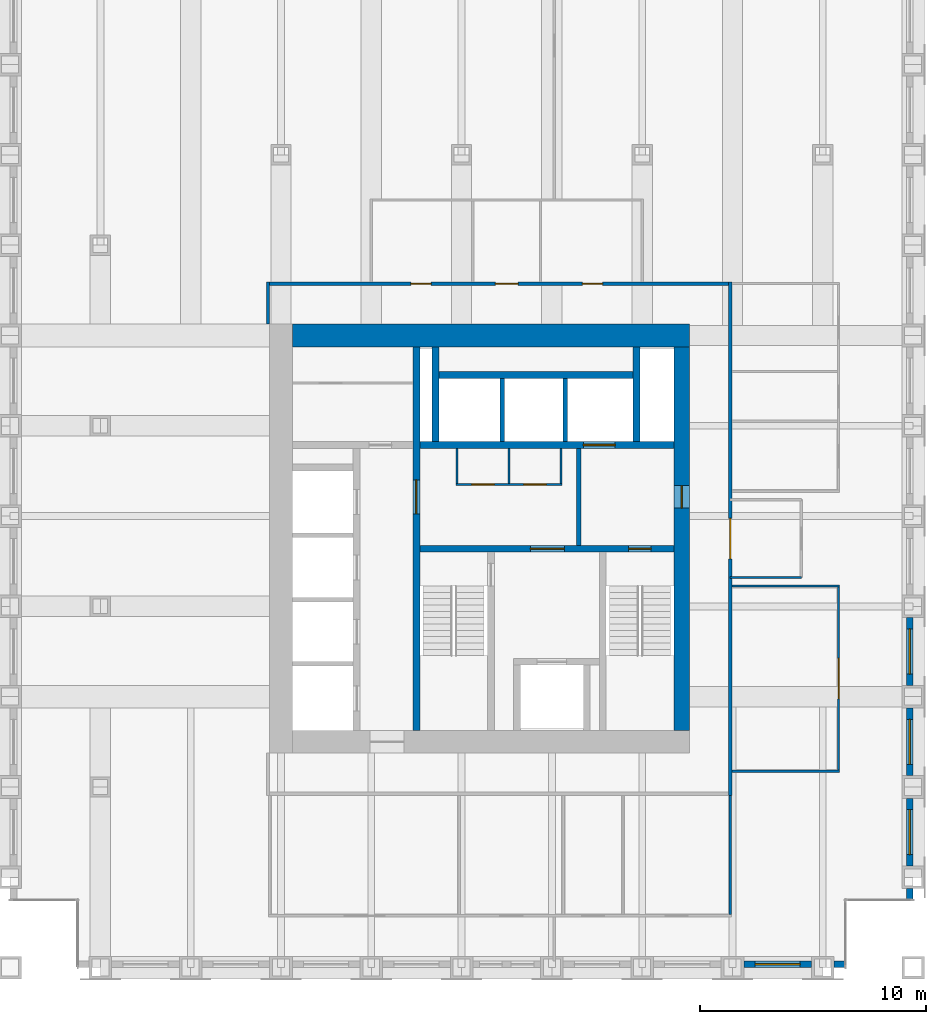
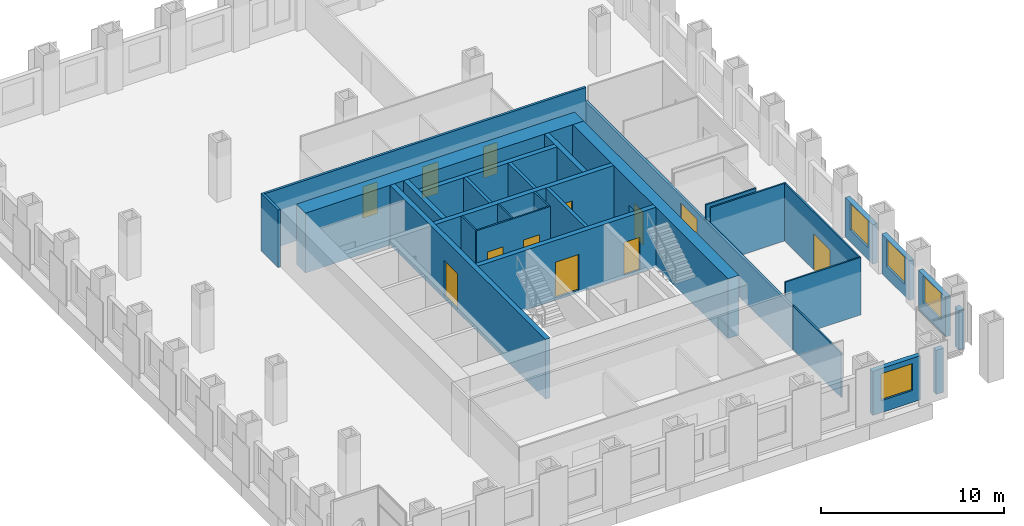
# One storey, part 10 of 13: 29 walls, 12 doors, 4 windows, 16 openings.
"""IFC4 building model written with IfcOpenShell, lengths in metres."""

from ifc_helpers import new_model, si_unit, direction, frame, frame_2d, origin, place, context, subcontext, project, spatial, rectangle, extrude, material, layer, layer_set, type_object, element, fill, save


model = new_model("IFC4")

# Units and contexts
model_context = context("Model", 3, precision=1e-05, world=origin(), true_north=direction((0.0, 1.0)))
body_context = subcontext(model_context, "Body", "Model", "MODEL_VIEW")
ifc_project = project(units=[si_unit("LENGTHUNIT", "METRE"), si_unit("AREAUNIT", "SQUARE_METRE"), si_unit("VOLUMEUNIT", "CUBIC_METRE"), si_unit("PLANEANGLEUNIT", "RADIAN"), si_unit("MASSUNIT", "GRAM", prefix="KILO")], contexts=[model_context])

# Site, building, storey
site_placement = place(None, origin())
site = spatial("IfcSite", under=ifc_project, at=site_placement, CompositionType="ELEMENT")
building_placement = place(site_placement, origin())
building = spatial("IfcBuilding", under=site, at=building_placement, Name="Rimbunsela Tower", CompositionType="ELEMENT")
storey_placement = place(building_placement, frame((0.0, 0.0, 199.800048828125)))
storey = spatial("IfcBuildingStorey", under=building, at=storey_placement, Name="L48", CompositionType="ELEMENT", Elevation=199.800048828125)

# Wall, opening, door
ifc_material_1 = material(Name="Concrete fc' 80 MPa", Category="concrete")
ifc_layer_1 = layer(ifc_material_1, 0.300048828125)
ifc_layer_set_1 = layer_set([ifc_layer_1], Name="Core internal wall 300")
wall_type_1 = type_object("IfcWallType", Name="Core internal wall 300", PredefinedType="SHEAR", material=ifc_layer_set_1)
wall_1_placement = place(storey_placement, frame((24.0, 18.5, -0.150146484375), z_axis=(0.0, 0.0, 1.0), x_axis=(0.0, 1.0, 0.0)))
wall_1 = element("IfcWall", 1, at=wall_1_placement, inside=storey, type_object=wall_type_1, Name="Core wall at stair A", PredefinedType="SHEAR", context=body_context, shape_type="SweptSolid", body=[
    extrude(rectangle(XDim=17.0, YDim=0.300048828125, at=frame_2d((8.5, 0.0))), origin(), (0.0, 0.0, 1.0), 4.0),
])
opening_1_placement = place(wall_1_placement, frame((9.60009765625, 0.0, 0.14990234375)))
opening_1 = element("IfcOpeningElement", 2, at=opening_1_placement, cuts=wall_1, Name="Opening D03", PredefinedType="OPENING", context=body_context, shape_type="SweptSolid", body=[
    extrude(rectangle(XDim=1.5, YDim=2.39990234375, at=frame_2d((0.75, 1.199951171875))), frame((0.0, 0.159912109375, 0.0), z_axis=(0.0, -1.0, 0.0), x_axis=(1.0, 0.0, 0.0)), (0.0, 0.0, 1.0), 0.320068359375),
])
ifc_material_2 = material(Name="Steel door, fire rated", Category="steel")
door_type_1 = type_object("IfcDoorType", Name="Core lobby door 1500", OperationType="DOUBLE_DOOR_DOUBLE_SWING", PredefinedType="DOOR", material=ifc_material_2)
door_1_placement = place(opening_1_placement, origin())
door_1 = element("IfcDoor", 3, at=door_1_placement, inside=storey, type_object=door_type_1, Name="West lobby door", OperationType="DOUBLE_DOOR_DOUBLE_SWING", OverallHeight=2.39990234375, OverallWidth=1.5, PredefinedType="DOOR", context=body_context, shape_type="SweptSolid", body=[
    extrude(rectangle(XDim=1.5, YDim=2.39990234375, at=frame_2d((0.75, 1.199951171875))), frame((0.0, 0.02490234375, 0.0), z_axis=(0.0, -1.0, 0.0), x_axis=(1.0, 0.0, 0.0)), (0.0, 0.0, 1.0), 0.050048828125),
])
fill(opening_1, door_1)

# Wall, openings, doors
wall_2_placement = place(storey_placement, frame((24.14990234375, 26.550048828125, -0.150146484375), z_axis=(0.0, 0.0, 1.0), x_axis=(1.0, 0.0, 0.0)))
wall_2 = element("IfcWall", 4, at=wall_2_placement, inside=storey, type_object=wall_type_1, Name="Core wall lobby south", PredefinedType="SHEAR", context=body_context, shape_type="SweptSolid", body=[
    extrude(rectangle(XDim=11.25, YDim=0.300048828125, at=frame_2d((5.625, 0.0))), origin(), (0.0, 0.0, 1.0), 4.0),
])
opening_2_placement = place(wall_2_placement, frame((9.25, 0.0, 0.14990234375)))
opening_2 = element("IfcOpeningElement", 5, at=opening_2_placement, cuts=wall_2, Name="Opening D01", PredefinedType="OPENING", context=body_context, shape_type="SweptSolid", body=[
    extrude(rectangle(XDim=1.0, YDim=2.199951171875, at=frame_2d((0.5, 1.10009765625))), frame((0.0, 0.159912109375, 0.0), z_axis=(0.0, -1.0, 0.0), x_axis=(1.0, 0.0, 0.0)), (0.0, 0.0, 1.0), 0.320068359375),
])
opening_3_placement = place(wall_2_placement, frame((4.89990234375, 0.0, 0.14990234375)))
opening_3 = element("IfcOpeningElement", 6, at=opening_3_placement, cuts=wall_2, Name="Opening D03", PredefinedType="OPENING", context=body_context, shape_type="SweptSolid", body=[
    extrude(rectangle(XDim=1.5, YDim=2.39990234375, at=frame_2d((0.75, 1.199951171875))), frame((0.0, 0.159912109375, 0.0), z_axis=(0.0, -1.0, 0.0), x_axis=(1.0, 0.0, 0.0)), (0.0, 0.0, 1.0), 0.320068359375),
])
door_2_placement = place(opening_3_placement, origin())
door_2 = element("IfcDoor", 7, at=door_2_placement, inside=storey, type_object=door_type_1, Name="Firefighting lobby door", OperationType="DOUBLE_DOOR_DOUBLE_SWING", OverallHeight=2.39990234375, OverallWidth=1.5, PredefinedType="DOOR", context=body_context, shape_type="SweptSolid", body=[
    extrude(rectangle(XDim=1.5, YDim=2.39990234375, at=frame_2d((0.75, 1.199951171875))), frame((0.0, 0.02490234375, 0.0), z_axis=(0.0, -1.0, 0.0), x_axis=(1.0, 0.0, 0.0)), (0.0, 0.0, 1.0), 0.050048828125),
])
fill(opening_3, door_2)
ifc_material_3 = material(Name="Steel door, fire rated", Category="steel")
door_type_2 = type_object("IfcDoorType", Name="Stair door 1000", OperationType="SINGLE_SWING_RIGHT", PredefinedType="DOOR", material=ifc_material_3)
door_3_placement = place(opening_2_placement, frame((1.0, 0.0, 0.0), z_axis=(0.0, 0.0, 1.0), x_axis=(-1.0, 0.0, 0.0)))
door_3 = element("IfcDoor", 8, at=door_3_placement, inside=storey, type_object=door_type_2, Name="Stair B door", OperationType="SINGLE_SWING_RIGHT", OverallHeight=2.199951171875, OverallWidth=1.0, PredefinedType="DOOR", context=body_context, shape_type="SweptSolid", body=[
    extrude(rectangle(XDim=1.0, YDim=2.199951171875, at=frame_2d((0.5, 1.10009765625))), frame((0.0, 0.02490234375, 0.0), z_axis=(0.0, -1.0, 0.0), x_axis=(1.0, 0.0, 0.0)), (0.0, 0.0, 1.0), 0.050048828125),
])
fill(opening_2, door_3)

# Wall, opening, door
wall_3_placement = place(storey_placement, frame((24.14990234375, 31.14990234375, -0.150146484375), z_axis=(0.0, 0.0, 1.0), x_axis=(1.0, 0.0, 0.0)))
wall_3 = element("IfcWall", 9, at=wall_3_placement, inside=storey, type_object=wall_type_1, Name="Lift shaft front north", PredefinedType="SHEAR", context=body_context, shape_type="SweptSolid", body=[
    extrude(rectangle(XDim=11.25, YDim=0.300048828125, at=frame_2d((5.625, 0.0))), origin(), (0.0, 0.0, 1.0), 4.0),
])
opening_4_placement = place(wall_3_placement, frame((7.25, 0.0, 0.14990234375)))
opening_4 = element("IfcOpeningElement", 10, at=opening_4_placement, cuts=wall_3, Name="Opening LD3", PredefinedType="OPENING", context=body_context, shape_type="SweptSolid", body=[
    extrude(rectangle(XDim=1.39990234375, YDim=2.39990234375, at=frame_2d((0.699951171875, 1.199951171875))), frame((0.0, 0.159912109375, 0.0), z_axis=(0.0, -1.0, 0.0), x_axis=(1.0, 0.0, 0.0)), (0.0, 0.0, 1.0), 0.320068359375),
])
ifc_material_4 = material(Name="Steel door, fire rated", Category="steel")
door_type_3 = type_object("IfcDoorType", Name="Lift landing door 1400", OperationType="DOUBLE_DOOR_SLIDING", PredefinedType="DOOR", material=ifc_material_4)
door_4_placement = place(opening_4_placement, origin())
door_4 = element("IfcDoor", 11, at=door_4_placement, inside=storey, type_object=door_type_3, Name="Lift landing door FL2", OperationType="DOUBLE_DOOR_SLIDING", OverallHeight=2.39990234375, OverallWidth=1.39990234375, PredefinedType="DOOR", context=body_context, shape_type="SweptSolid", body=[
    extrude(rectangle(XDim=1.39990234375, YDim=2.39990234375, at=frame_2d((0.699951171875, 1.199951171875))), frame((0.0, 0.02490234375, 0.0), z_axis=(0.0, -1.0, 0.0), x_axis=(1.0, 0.0, 0.0)), (0.0, 0.0, 1.0), 0.050048828125),
])
fill(opening_4, door_4)

# Walls
for number, where, z_axis, x_axis, name in (
    (12, (24.85009765625, 31.300048828125, -0.150146484375), (0.0, 0.0, 1.0), (0.0, 1.0, 0.0), "Riser wall"),
    (13, (33.75, 31.300048828125, -0.150146484375), (0.0, 0.0, 1.0), (0.0, 1.0, 0.0), "Riser wall"),
):
    element("IfcWall", number, at=place(storey_placement, frame(where, z_axis=z_axis, x_axis=x_axis)), inside=storey, type_object=wall_type_1, Name=name, PredefinedType="SHEAR", context=body_context, shape_type="SweptSolid", body=[
        extrude(rectangle(XDim=4.199951171875, YDim=0.300048828125, at=frame_2d((2.10009765625, 0.0))), origin(), (0.0, 0.0, 1.0), 4.0),
    ])
wall_4_placement = place(storey_placement, frame((25.0, 34.25, -0.150146484375), z_axis=(0.0, 0.0, 1.0), x_axis=(1.0, 0.0, 0.0)))
element("IfcWall", 14, at=wall_4_placement, inside=storey, type_object=wall_type_1, Name="Lift shaft rear north", PredefinedType="SHEAR", context=body_context, shape_type="SweptSolid", body=[
    extrude(rectangle(XDim=8.60009765625, YDim=0.300048828125, at=frame_2d((4.300048828125, 0.0))), origin(), (0.0, 0.0, 1.0), 4.0),
])

# Wall, openings, doors
ifc_material_5 = material(Name="Concrete blockwork", Category="masonry")
ifc_layer_2 = layer(ifc_material_5, 0.10009765625)
ifc_layer_set_2 = layer_set([ifc_layer_2], Name="Core room partition 100")
wall_type_2 = type_object("IfcWallType", Name="Core room partition 100", PredefinedType="PARTITIONING", material=ifc_layer_set_2)
wall_5_placement = place(storey_placement, frame((25.75, 29.39990234375, 0.0), z_axis=(0.0, 0.0, 1.0), x_axis=(1.0, 0.0, 0.0)))
wall_5 = element("IfcWall", 15, at=wall_5_placement, inside=storey, type_object=wall_type_2, Name="Lobby room wall", PredefinedType="PARTITIONING", context=body_context, shape_type="SweptSolid", body=[
    extrude(rectangle(XDim=4.699951171875, YDim=0.10009765625, at=frame_2d((2.35009765625, 0.0))), origin(), (0.0, 0.0, 1.0), 3.849853515625),
])
opening_5_placement = place(wall_5_placement, frame((0.699951171875, 0.0, 0.0)))
opening_5 = element("IfcOpeningElement", 16, at=opening_5_placement, cuts=wall_5, Name="Opening D19", PredefinedType="OPENING", context=body_context, shape_type="SweptSolid", body=[
    extrude(rectangle(XDim=1.0, YDim=2.199951171875, at=frame_2d((0.5, 1.10009765625))), frame((0.0, 0.06005859375, 0.0), z_axis=(0.0, -1.0, 0.0), x_axis=(1.0, 0.0, 0.0)), (0.0, 0.0, 1.0), 0.1201171875),
])
opening_6_placement = place(wall_5_placement, frame((3.0, 0.0, 0.0)))
opening_6 = element("IfcOpeningElement", 17, at=opening_6_placement, cuts=wall_5, Name="Opening D19", PredefinedType="OPENING", context=body_context, shape_type="SweptSolid", body=[
    extrude(rectangle(XDim=1.0, YDim=2.199951171875, at=frame_2d((0.5, 1.10009765625))), frame((0.0, 0.06005859375, 0.0), z_axis=(0.0, -1.0, 0.0), x_axis=(1.0, 0.0, 0.0)), (0.0, 0.0, 1.0), 0.1201171875),
])
ifc_material_6 = material(Name="Steel door, fire rated", Category="steel")
door_type_4 = type_object("IfcDoorType", Name="Service door 1000 fire rated", OperationType="SINGLE_SWING_LEFT", PredefinedType="DOOR", material=ifc_material_6)
door_5_placement = place(opening_5_placement, origin())
door_5 = element("IfcDoor", 18, at=door_5_placement, inside=storey, type_object=door_type_4, Name="Facilities store door", OperationType="SINGLE_SWING_LEFT", OverallHeight=2.199951171875, OverallWidth=1.0, PredefinedType="DOOR", context=body_context, shape_type="SweptSolid", body=[
    extrude(rectangle(XDim=1.0, YDim=2.199951171875, at=frame_2d((0.5, 1.10009765625))), frame((0.0, 0.02490234375, 0.0), z_axis=(0.0, -1.0, 0.0), x_axis=(1.0, 0.0, 0.0)), (0.0, 0.0, 1.0), 0.050048828125),
])
fill(opening_5, door_5)
door_6_placement = place(opening_6_placement, origin())
door_6 = element("IfcDoor", 19, at=door_6_placement, inside=storey, type_object=door_type_4, Name="IT room door", OperationType="SINGLE_SWING_LEFT", OverallHeight=2.199951171875, OverallWidth=1.0, PredefinedType="DOOR", context=body_context, shape_type="SweptSolid", body=[
    extrude(rectangle(XDim=1.0, YDim=2.199951171875, at=frame_2d((0.5, 1.10009765625))), frame((0.0, 0.02490234375, 0.0), z_axis=(0.0, -1.0, 0.0), x_axis=(1.0, 0.0, 0.0)), (0.0, 0.0, 1.0), 0.050048828125),
])
fill(opening_6, door_6)

# Walls
for number, where, z_axis, x_axis, name in (
    (20, (25.800048828125, 29.449951171875, 0.0), (0.0, 0.0, 1.0), (0.0, 1.0, 0.0), "Lobby room wall"),
    (21, (30.39990234375, 29.449951171875, 0.0), (0.0, 0.0, 1.0), (0.0, 1.0, 0.0), "Lobby room wall"),
    (22, (28.10009765625, 29.449951171875, 0.0), (0.0, 0.0, 1.0), (0.0, 1.0, 0.0), "Lobby room wall"),
):
    element("IfcWall", number, at=place(storey_placement, frame(where, z_axis=z_axis, x_axis=x_axis)), inside=storey, type_object=wall_type_2, Name=name, PredefinedType="PARTITIONING", context=body_context, shape_type="SweptSolid", body=[
        extrude(rectangle(XDim=1.550048828125, YDim=0.10009765625, at=frame_2d((0.77490234375, 0.0))), origin(), (0.0, 0.0, 1.0), 3.849853515625),
    ])
ifc_material_7 = material(Name="Concrete fc' 80 MPa", Category="concrete")
ifc_layer_3 = layer(ifc_material_7, 1.0)
ifc_layer_set_3 = layer_set([ifc_layer_3], Name="Core wall 1000")
wall_type_3 = type_object("IfcWallType", Name="Core wall 1000", PredefinedType="SHEAR", material=ifc_layer_set_3)
wall_6_placement = place(storey_placement, frame((18.5, 36.0, -0.150146484375), z_axis=(0.0, 0.0, 1.0), x_axis=(1.0, 0.0, 0.0)))
element("IfcWall", 23, at=wall_6_placement, inside=storey, type_object=wall_type_3, Name="Core wall north", PredefinedType="SHEAR", context=body_context, shape_type="SweptSolid", body=[
    extrude(rectangle(XDim=17.60009765625, YDim=1.0, at=frame_2d((8.800048828125, 0.0))), origin(), (0.0, 0.0, 1.0), 4.0),
])

# Wall, opening, door
ifc_material_8 = material(Name="Concrete fc' 80 MPa", Category="concrete")
ifc_layer_4 = layer(ifc_material_8, 0.699951171875)
ifc_layer_set_4 = layer_set([ifc_layer_4], Name="Core wall 700 east")
wall_type_4 = type_object("IfcWallType", Name="Core wall 700 east", PredefinedType="SHEAR", material=ifc_layer_set_4)
wall_7_placement = place(storey_placement, frame((35.75, 18.5, -0.150146484375), z_axis=(0.0, 0.0, 1.0), x_axis=(0.0, 1.0, 0.0)))
wall_7 = element("IfcWall", 24, at=wall_7_placement, inside=storey, type_object=wall_type_4, Name="Core wall east", PredefinedType="SHEAR", context=body_context, shape_type="SweptSolid", body=[
    extrude(rectangle(XDim=17.0, YDim=0.699951171875, at=frame_2d((8.5, 0.0))), origin(), (0.0, 0.0, 1.0), 4.0),
])
opening_7_placement = place(wall_7_placement, frame((9.85009765625, 0.0, 0.14990234375)))
opening_7 = element("IfcOpeningElement", 25, at=opening_7_placement, cuts=wall_7, Name="Opening D01", PredefinedType="OPENING", context=body_context, shape_type="SweptSolid", body=[
    extrude(rectangle(XDim=1.0, YDim=2.199951171875, at=frame_2d((0.5, 1.10009765625))), frame((0.0, 0.35986328125, 0.0), z_axis=(0.0, -1.0, 0.0), x_axis=(1.0, 0.0, 0.0)), (0.0, 0.0, 1.0), 0.719970703125),
])
door_7_placement = place(opening_7_placement, origin())
door_7 = element("IfcDoor", 26, at=door_7_placement, inside=storey, type_object=door_type_2, Name="Firefighting lobby 2 door", OperationType="SINGLE_SWING_RIGHT", OverallHeight=2.199951171875, OverallWidth=1.0, PredefinedType="DOOR", context=body_context, shape_type="SweptSolid", body=[
    extrude(rectangle(XDim=1.0, YDim=2.199951171875, at=frame_2d((0.5, 1.10009765625))), frame((0.0, 0.02490234375, 0.0), z_axis=(0.0, -1.0, 0.0), x_axis=(1.0, 0.0, 0.0)), (0.0, 0.0, 1.0), 0.050048828125),
])
fill(opening_7, door_7)

# Walls
ifc_material_9 = material(Name="Concrete blockwork", Category="masonry")
ifc_layer_5 = layer(ifc_material_9, 0.199951171875)
ifc_layer_set_5 = layer_set([ifc_layer_5], Name="Lift shaft wall 200")
wall_type_5 = type_object("IfcWallType", Name="Lift shaft wall 200", PredefinedType="SOLIDWALL", material=ifc_layer_set_5)
for number, where, z_axis, x_axis, name in (
    (27, (27.800048828125, 31.300048828125, -0.150146484375), (0.0, 0.0, 1.0), (0.0, 1.0, 0.0), "Lift shaft separation"),
    (28, (30.60009765625, 31.300048828125, -0.150146484375), (0.0, 0.0, 1.0), (0.0, 1.0, 0.0), "Lift shaft separation"),
):
    element("IfcWall", number, at=place(storey_placement, frame(where, z_axis=z_axis, x_axis=x_axis)), inside=storey, type_object=wall_type_5, Name=name, PredefinedType="SOLIDWALL", context=body_context, shape_type="SweptSolid", body=[
        extrude(rectangle(XDim=2.800048828125, YDim=0.199951171875, at=frame_2d((1.39990234375, 0.0))), origin(), (0.0, 0.0, 1.0), 4.0),
    ])
wall_8_placement = place(storey_placement, frame((31.199951171875, 26.699951171875, 0.0), z_axis=(0.0, 0.0, 1.0), x_axis=(0.0, 1.0, 0.0)))
element("IfcWall", 29, at=wall_8_placement, inside=storey, type_object=wall_type_5, Name="Firefighting lobby 2 wall", PredefinedType="SOLIDWALL", context=body_context, shape_type="SweptSolid", body=[
    extrude(rectangle(XDim=4.300048828125, YDim=0.199951171875, at=frame_2d((2.14990234375, 0.0))), origin(), (0.0, 0.0, 1.0), 3.849853515625),
])
ifc_material_10 = material(Name="Gypsum board on steel studs", Category="steel")
ifc_layer_6 = layer(ifc_material_10, 0.10009765625)
ifc_layer_set_6 = layer_set([ifc_layer_6], Name="Office partition 100")
wall_type_6 = type_object("IfcWallType", Name="Office partition 100", PredefinedType="PARTITIONING", material=ifc_layer_set_6)
for number, where, z_axis, x_axis, name in (
    (30, (37.97509765625, 16.699951171875, 0.0), (0.0, 0.0, 1.0), (1.0, 0.0, 0.0), "Office partition"),
    (31, (37.97509765625, 24.89990234375, 0.0), (0.0, 0.0, 1.0), (1.0, 0.0, 0.0), "Office partition"),
):
    element("IfcWall", number, at=place(storey_placement, frame(where, z_axis=z_axis, x_axis=x_axis)), inside=storey, type_object=wall_type_6, Name=name, PredefinedType="PARTITIONING", context=body_context, shape_type="SweptSolid", body=[
        extrude(rectangle(XDim=4.77490234375, YDim=0.10009765625, at=frame_2d((2.387451171875, 0.0))), origin(), (0.0, 0.0, 1.0), 3.849853515625),
    ])
wall_9_placement = place(storey_placement, frame((37.89990234375, 10.35009765625, 0.0), z_axis=(0.0, 0.0, 1.0), x_axis=(0.0, 1.0, 0.0)))
element("IfcWall", 32, at=wall_9_placement, inside=storey, type_object=wall_type_6, Name="Office partition", PredefinedType="PARTITIONING", context=body_context, shape_type="SweptSolid", body=[
    extrude(rectangle(XDim=5.27490234375, YDim=0.10009765625, at=frame_2d((2.637451171875, 0.0))), origin(), (0.0, 0.0, 1.0), 2.949951171875),
])

# Wall, opening, door
wall_10_placement = place(storey_placement, frame((42.699951171875, 16.75, 0.0), z_axis=(0.0, 0.0, 1.0), x_axis=(0.0, 1.0, 0.0)))
wall_10 = element("IfcWall", 33, at=wall_10_placement, inside=storey, type_object=wall_type_6, Name="Office partition", PredefinedType="PARTITIONING", context=body_context, shape_type="SweptSolid", body=[
    extrude(rectangle(XDim=8.10009765625, YDim=0.10009765625, at=frame_2d((4.050048828125, 0.0))), origin(), (0.0, 0.0, 1.0), 3.849853515625),
])
opening_8_placement = place(wall_10_placement, frame((3.14990234375, 0.0, 0.0)))
opening_8 = element("IfcOpeningElement", 34, at=opening_8_placement, cuts=wall_10, Name="Opening D18", PredefinedType="OPENING", context=body_context, shape_type="SweptSolid", body=[
    extrude(rectangle(XDim=1.800048828125, YDim=2.39990234375, at=frame_2d((0.89990234375, 1.199951171875))), frame((0.0, 0.06005859375, 0.0), z_axis=(0.0, -1.0, 0.0), x_axis=(1.0, 0.0, 0.0)), (0.0, 0.0, 1.0), 0.1201171875),
])
ifc_material_11 = material(Name="Glazed aluminium door", Category="aluminium")
door_type_5 = type_object("IfcDoorType", Name="Boardroom door 1800 glazed", OperationType="DOUBLE_DOOR_DOUBLE_SWING", PredefinedType="DOOR", material=ifc_material_11)
door_8_placement = place(opening_8_placement, origin())
door_8 = element("IfcDoor", 35, at=door_8_placement, inside=storey, type_object=door_type_5, Name="Boardroom door", OperationType="DOUBLE_DOOR_DOUBLE_SWING", OverallHeight=2.39990234375, OverallWidth=1.800048828125, PredefinedType="DOOR", context=body_context, shape_type="SweptSolid", body=[
    extrude(rectangle(XDim=1.800048828125, YDim=2.39990234375, at=frame_2d((0.89990234375, 1.199951171875))), frame((0.0, 0.02490234375, 0.0), z_axis=(0.0, -1.0, 0.0), x_axis=(1.0, 0.0, 0.0)), (0.0, 0.0, 1.0), 0.050048828125),
])
fill(opening_8, door_8)

# Wall
wall_11_placement = place(storey_placement, frame((37.89990234375, 25.27490234375, 0.0), z_axis=(0.0, 0.0, 1.0), x_axis=(1.0, 0.0, 0.0)))
element("IfcWall", 36, at=wall_11_placement, inside=storey, type_object=wall_type_6, Name="Office partition", PredefinedType="PARTITIONING", context=body_context, shape_type="SweptSolid", body=[
    extrude(rectangle(XDim=3.150146484375, YDim=0.10009765625, at=frame_2d((1.5751953125, 0.0))), origin(), (0.0, 0.0, 1.0), 3.849853515625),
])

# Wall, opening, window
ifc_material_12 = material(Name="Precast concrete fc' 35 MPa", Category="concrete")
ifc_layer_7 = layer(ifc_material_12, 0.300048828125)
ifc_layer_set_7 = layer_set([ifc_layer_7], Name="Precast concrete fc' 35 MPa")
wall_type_7 = type_object("IfcWallType", Name="Precast facade panel 300", PredefinedType="ELEMENTEDWALL", material=ifc_layer_set_7)
wall_12_placement = place(storey_placement, frame((38.5, 8.14990234375, 0.0), z_axis=(0.0, 0.0, 1.0), x_axis=(1.0, 0.0, 0.0)))
wall_12 = element("IfcWall", 37, at=wall_12_placement, inside=storey, type_object=wall_type_7, Name="Facade panel S L48", PredefinedType="ELEMENTEDWALL", context=body_context, shape_type="SweptSolid", body=[
    extrude(rectangle(XDim=3.0, YDim=0.300048828125, at=frame_2d((1.5, 0.0))), origin(), (0.0, 0.0, 1.0), 2.949951171875),
])
opening_9_placement = place(wall_12_placement, frame((0.5, 0.0, 0.800048828125)))
opening_9 = element("IfcOpeningElement", 38, at=opening_9_placement, cuts=wall_12, Name="Opening W7", PredefinedType="OPENING", context=body_context, shape_type="SweptSolid", body=[
    extrude(rectangle(XDim=2.0, YDim=1.800048828125, at=frame_2d((1.0, 0.89990234375))), frame((0.0, 0.159912109375, 0.0), z_axis=(0.0, -1.0, 0.0), x_axis=(1.0, 0.0, 0.0)), (0.0, 0.0, 1.0), 0.320068359375),
])
ifc_material_13 = material(Name="Clear glass in aluminium frame", Category="aluminium")
window_type = type_object("IfcWindowType", Name="Window W7 2000x1800", PartitioningType="DOUBLE_PANEL_VERTICAL", PredefinedType="WINDOW", material=ifc_material_13)
window_1_placement = place(opening_9_placement, origin())
window_1 = element("IfcWindow", 39, at=window_1_placement, inside=storey, type_object=window_type, Name="Window L48", OverallHeight=1.800048828125, OverallWidth=2.0, PartitioningType="SINGLE_PANEL", PredefinedType="WINDOW", context=body_context, shape_type="SweptSolid", body=[
    extrude(rectangle(XDim=2.0, YDim=1.800048828125, at=frame_2d((1.0, 0.89990234375))), frame((0.0, 0.030029296875, 0.0), z_axis=(0.0, -1.0, 0.0), x_axis=(1.0, 0.0, 0.0)), (0.0, 0.0, 1.0), 0.06005859375),
])
fill(opening_9, window_1)

# Walls
wall_13_placement = place(storey_placement, frame((42.5, 8.14990234375, 0.0), z_axis=(0.0, 0.0, 1.0), x_axis=(1.0, 0.0, 0.0)))
element("IfcWall", 40, at=wall_13_placement, inside=storey, type_object=wall_type_7, Name="Facade panel S L48", PredefinedType="ELEMENTEDWALL", context=body_context, shape_type="SweptSolid", body=[
    extrude(rectangle(XDim=0.469970703125, YDim=0.300048828125, at=frame_2d((0.23486328125, 0.0))), origin(), (0.0, 0.0, 1.0), 2.949951171875),
])
wall_14_placement = place(storey_placement, frame((45.85009765625, 11.030029296875, 0.0), z_axis=(0.0, 0.0, 1.0), x_axis=(0.0, 1.0, 0.0)))
element("IfcWall", 41, at=wall_14_placement, inside=storey, type_object=wall_type_7, Name="Facade panel E L48", PredefinedType="ELEMENTEDWALL", context=body_context, shape_type="SweptSolid", body=[
    extrude(rectangle(XDim=0.469970703125, YDim=0.300048828125, at=frame_2d((0.23486328125, 0.0))), origin(), (0.0, 0.0, 1.0), 2.64990234375),
])

# Wall, opening, window
wall_15_placement = place(storey_placement, frame((45.85009765625, 12.5, 0.0), z_axis=(0.0, 0.0, 1.0), x_axis=(0.0, 1.0, 0.0)))
wall_15 = element("IfcWall", 42, at=wall_15_placement, inside=storey, type_object=wall_type_7, Name="Facade panel E L48", PredefinedType="ELEMENTEDWALL", context=body_context, shape_type="SweptSolid", body=[
    extrude(rectangle(XDim=3.0, YDim=0.300048828125, at=frame_2d((1.5, 0.0))), origin(), (0.0, 0.0, 1.0), 2.64990234375),
])
opening_10_placement = place(wall_15_placement, frame((0.5, 0.0, 0.800048828125)))
opening_10 = element("IfcOpeningElement", 43, at=opening_10_placement, cuts=wall_15, Name="Opening W7", PredefinedType="OPENING", context=body_context, shape_type="SweptSolid", body=[
    extrude(rectangle(XDim=2.0, YDim=1.800048828125, at=frame_2d((1.0, 0.89990234375))), frame((0.0, 0.159912109375, 0.0), z_axis=(0.0, -1.0, 0.0), x_axis=(1.0, 0.0, 0.0)), (0.0, 0.0, 1.0), 0.320068359375),
])
window_2_placement = place(opening_10_placement, origin())
window_2 = element("IfcWindow", 44, at=window_2_placement, inside=storey, type_object=window_type, Name="Window L48", OverallHeight=1.800048828125, OverallWidth=2.0, PartitioningType="SINGLE_PANEL", PredefinedType="WINDOW", context=body_context, shape_type="SweptSolid", body=[
    extrude(rectangle(XDim=2.0, YDim=1.800048828125, at=frame_2d((1.0, 0.89990234375))), frame((0.0, 0.030029296875, 0.0), z_axis=(0.0, -1.0, 0.0), x_axis=(1.0, 0.0, 0.0)), (0.0, 0.0, 1.0), 0.06005859375),
])
fill(opening_10, window_2)

wall_16_placement = place(storey_placement, frame((45.85009765625, 16.5, 0.0), z_axis=(0.0, 0.0, 1.0), x_axis=(0.0, 1.0, 0.0)))
wall_16 = element("IfcWall", 45, at=wall_16_placement, inside=storey, type_object=wall_type_7, Name="Facade panel E L48", PredefinedType="ELEMENTEDWALL", context=body_context, shape_type="SweptSolid", body=[
    extrude(rectangle(XDim=3.0, YDim=0.300048828125, at=frame_2d((1.5, 0.0))), origin(), (0.0, 0.0, 1.0), 2.64990234375),
])
opening_11_placement = place(wall_16_placement, frame((0.5, 0.0, 0.800048828125)))
opening_11 = element("IfcOpeningElement", 46, at=opening_11_placement, cuts=wall_16, Name="Opening W7", PredefinedType="OPENING", context=body_context, shape_type="SweptSolid", body=[
    extrude(rectangle(XDim=2.0, YDim=1.800048828125, at=frame_2d((1.0, 0.89990234375))), frame((0.0, 0.159912109375, 0.0), z_axis=(0.0, -1.0, 0.0), x_axis=(1.0, 0.0, 0.0)), (0.0, 0.0, 1.0), 0.320068359375),
])
window_3_placement = place(opening_11_placement, origin())
window_3 = element("IfcWindow", 47, at=window_3_placement, inside=storey, type_object=window_type, Name="Window L48", OverallHeight=1.800048828125, OverallWidth=2.0, PartitioningType="SINGLE_PANEL", PredefinedType="WINDOW", context=body_context, shape_type="SweptSolid", body=[
    extrude(rectangle(XDim=2.0, YDim=1.800048828125, at=frame_2d((1.0, 0.89990234375))), frame((0.0, 0.030029296875, 0.0), z_axis=(0.0, -1.0, 0.0), x_axis=(1.0, 0.0, 0.0)), (0.0, 0.0, 1.0), 0.06005859375),
])
fill(opening_11, window_3)

wall_17_placement = place(storey_placement, frame((45.85009765625, 20.5, 0.0), z_axis=(0.0, 0.0, 1.0), x_axis=(0.0, 1.0, 0.0)))
wall_17 = element("IfcWall", 48, at=wall_17_placement, inside=storey, type_object=wall_type_7, Name="Facade panel E L48", PredefinedType="ELEMENTEDWALL", context=body_context, shape_type="SweptSolid", body=[
    extrude(rectangle(XDim=3.0, YDim=0.300048828125, at=frame_2d((1.5, 0.0))), origin(), (0.0, 0.0, 1.0), 2.64990234375),
])
opening_12_placement = place(wall_17_placement, frame((0.5, 0.0, 0.800048828125)))
opening_12 = element("IfcOpeningElement", 49, at=opening_12_placement, cuts=wall_17, Name="Opening W7", PredefinedType="OPENING", context=body_context, shape_type="SweptSolid", body=[
    extrude(rectangle(XDim=2.0, YDim=1.800048828125, at=frame_2d((1.0, 0.89990234375))), frame((0.0, 0.159912109375, 0.0), z_axis=(0.0, -1.0, 0.0), x_axis=(1.0, 0.0, 0.0)), (0.0, 0.0, 1.0), 0.320068359375),
])
window_4_placement = place(opening_12_placement, origin())
window_4 = element("IfcWindow", 50, at=window_4_placement, inside=storey, type_object=window_type, Name="Window L48", OverallHeight=1.800048828125, OverallWidth=2.0, PartitioningType="SINGLE_PANEL", PredefinedType="WINDOW", context=body_context, shape_type="SweptSolid", body=[
    extrude(rectangle(XDim=2.0, YDim=1.800048828125, at=frame_2d((1.0, 0.89990234375))), frame((0.0, 0.030029296875, 0.0), z_axis=(0.0, -1.0, 0.0), x_axis=(1.0, 0.0, 0.0)), (0.0, 0.0, 1.0), 0.06005859375),
])
fill(opening_12, window_4)

# Wall
ifc_material_14 = material(Name="Fire-rated gypsum board on steel studs, EI 60", Category="steel")
ifc_layer_8 = layer(ifc_material_14, 0.14990234375)
ifc_layer_set_8 = layer_set([ifc_layer_8], Name="Rated corridor wall 150")
wall_type_8 = type_object("IfcWallType", Name="Rated corridor wall 150", PredefinedType="PARTITIONING", material=ifc_layer_set_8)
wall_18_placement = place(storey_placement, frame((17.425048828125, 36.5, 0.0), z_axis=(0.0, 0.0, 1.0), x_axis=(0.0, 1.0, 0.0)))
element("IfcWall", 51, at=wall_18_placement, inside=storey, type_object=wall_type_8, Name="Corridor end wall north", PredefinedType="PARTITIONING", context=body_context, shape_type="SweptSolid", body=[
    extrude(rectangle(XDim=1.875, YDim=0.14990234375, at=frame_2d((0.9375, 0.0))), origin(), (0.0, 0.0, 1.0), 3.849853515625),
])

# Wall, opening, door
wall_19_placement = place(storey_placement, frame((37.89990234375, 15.625, 0.0), z_axis=(0.0, 0.0, 1.0), x_axis=(0.0, 1.0, 0.0)))
wall_19 = element("IfcWall", 52, at=wall_19_placement, inside=storey, type_object=wall_type_8, Name="Corridor wall east", PredefinedType="PARTITIONING", context=body_context, shape_type="SweptSolid", body=[
    extrude(rectangle(XDim=22.75, YDim=0.14990234375, at=frame_2d((11.375, 0.0))), origin(), (0.0, 0.0, 1.0), 2.849853515625),
])
opening_13_placement = place(wall_19_placement, frame((10.47509765625, 0.0, 0.0)))
opening_13 = element("IfcOpeningElement", 53, at=opening_13_placement, cuts=wall_19, Name="Opening D09", PredefinedType="OPENING", context=body_context, shape_type="SweptSolid", body=[
    extrude(rectangle(XDim=1.800048828125, YDim=2.39990234375, at=frame_2d((0.89990234375, 1.199951171875))), frame((0.0, 0.0849609375, 0.0), z_axis=(0.0, -1.0, 0.0), x_axis=(1.0, 0.0, 0.0)), (0.0, 0.0, 1.0), 0.169921875),
])
ifc_material_15 = material(Name="Glazed aluminium door, fire rated", Category="aluminium")
door_type_6 = type_object("IfcDoorType", Name="Tenancy door 1800 glazed", OperationType="DOUBLE_DOOR_DOUBLE_SWING", PredefinedType="DOOR", material=ifc_material_15)
door_9_placement = place(opening_13_placement, origin())
door_9 = element("IfcDoor", 54, at=door_9_placement, inside=storey, type_object=door_type_6, Name="Tenancy door", OperationType="DOUBLE_DOOR_DOUBLE_SWING", OverallHeight=2.39990234375, OverallWidth=1.800048828125, PredefinedType="DOOR", context=body_context, shape_type="SweptSolid", body=[
    extrude(rectangle(XDim=1.800048828125, YDim=2.39990234375, at=frame_2d((0.89990234375, 1.199951171875))), frame((0.0, 0.02490234375, 0.0), z_axis=(0.0, -1.0, 0.0), x_axis=(1.0, 0.0, 0.0)), (0.0, 0.0, 1.0), 0.050048828125),
])
fill(opening_13, door_9)

# Wall, openings, doors
wall_20_placement = place(storey_placement, frame((17.5, 38.300048828125, 0.0), z_axis=(0.0, 0.0, 1.0), x_axis=(1.0, 0.0, 0.0)))
wall_20 = element("IfcWall", 55, at=wall_20_placement, inside=storey, type_object=wall_type_8, Name="Corridor wall north", PredefinedType="PARTITIONING", context=body_context, shape_type="SweptSolid", body=[
    extrude(rectangle(XDim=20.324951171875, YDim=0.14990234375, at=frame_2d((10.16259765625, 0.0))), origin(), (0.0, 0.0, 1.0), 3.849853515625),
])
opening_14_placement = place(wall_20_placement, frame((6.25, 0.0, 0.0)))
opening_14 = element("IfcOpeningElement", 56, at=opening_14_placement, cuts=wall_20, Name="Opening D04", PredefinedType="OPENING", context=body_context, shape_type="SweptSolid", body=[
    extrude(rectangle(XDim=0.89990234375, YDim=2.10009765625, at=frame_2d((0.449951171875, 1.050048828125))), frame((0.0, 0.0849609375, 0.0), z_axis=(0.0, -1.0, 0.0), x_axis=(1.0, 0.0, 0.0)), (0.0, 0.0, 1.0), 0.169921875),
])
opening_15_placement = place(wall_20_placement, frame((10.0, 0.0, 0.0)))
opening_15 = element("IfcOpeningElement", 57, at=opening_15_placement, cuts=wall_20, Name="Opening D05", PredefinedType="OPENING", context=body_context, shape_type="SweptSolid", body=[
    extrude(rectangle(XDim=1.0, YDim=2.10009765625, at=frame_2d((0.5, 1.050048828125))), frame((0.0, 0.0849609375, 0.0), z_axis=(0.0, -1.0, 0.0), x_axis=(1.0, 0.0, 0.0)), (0.0, 0.0, 1.0), 0.169921875),
])
opening_16_placement = place(wall_20_placement, frame((13.85009765625, 0.0, 0.0)))
opening_16 = element("IfcOpeningElement", 58, at=opening_16_placement, cuts=wall_20, Name="Opening D04", PredefinedType="OPENING", context=body_context, shape_type="SweptSolid", body=[
    extrude(rectangle(XDim=0.89990234375, YDim=2.10009765625, at=frame_2d((0.449951171875, 1.050048828125))), frame((0.0, 0.0849609375, 0.0), z_axis=(0.0, -1.0, 0.0), x_axis=(1.0, 0.0, 0.0)), (0.0, 0.0, 1.0), 0.169921875),
])
ifc_material_16 = material(Name="Timber door", Category="wood")
door_type_7 = type_object("IfcDoorType", Name="Accessible WC door 1000", OperationType="SLIDING_TO_LEFT", PredefinedType="DOOR", material=ifc_material_16)
door_10_placement = place(opening_15_placement, origin())
door_10 = element("IfcDoor", 59, at=door_10_placement, inside=storey, type_object=door_type_7, Name="Accessible WC door", OperationType="SLIDING_TO_LEFT", OverallHeight=2.10009765625, OverallWidth=1.0, PredefinedType="DOOR", context=body_context, shape_type="SweptSolid", body=[
    extrude(rectangle(XDim=1.0, YDim=2.10009765625, at=frame_2d((0.5, 1.050048828125))), frame((0.0, 0.02490234375, 0.0), z_axis=(0.0, -1.0, 0.0), x_axis=(1.0, 0.0, 0.0)), (0.0, 0.0, 1.0), 0.050048828125),
])
fill(opening_15, door_10)
ifc_material_17 = material(Name="Timber door", Category="wood")
door_type_8 = type_object("IfcDoorType", Name="Toilet door 900", OperationType="SINGLE_SWING_LEFT", PredefinedType="DOOR", material=ifc_material_17)
door_11_placement = place(opening_14_placement, origin())
door_11 = element("IfcDoor", 60, at=door_11_placement, inside=storey, type_object=door_type_8, Name="Female WC door", OperationType="SINGLE_SWING_LEFT", OverallHeight=2.10009765625, OverallWidth=0.89990234375, PredefinedType="DOOR", context=body_context, shape_type="SweptSolid", body=[
    extrude(rectangle(XDim=0.89990234375, YDim=2.10009765625, at=frame_2d((0.449951171875, 1.050048828125))), frame((0.0, 0.02490234375, 0.0), z_axis=(0.0, -1.0, 0.0), x_axis=(1.0, 0.0, 0.0)), (0.0, 0.0, 1.0), 0.050048828125),
])
fill(opening_14, door_11)
door_12_placement = place(opening_16_placement, origin())
door_12 = element("IfcDoor", 61, at=door_12_placement, inside=storey, type_object=door_type_8, Name="Male WC door", OperationType="SINGLE_SWING_LEFT", OverallHeight=2.10009765625, OverallWidth=0.89990234375, PredefinedType="DOOR", context=body_context, shape_type="SweptSolid", body=[
    extrude(rectangle(XDim=0.89990234375, YDim=2.10009765625, at=frame_2d((0.449951171875, 1.050048828125))), frame((0.0, 0.02490234375, 0.0), z_axis=(0.0, -1.0, 0.0), x_axis=(1.0, 0.0, 0.0)), (0.0, 0.0, 1.0), 0.050048828125),
])
fill(opening_16, door_12)

save(model, "model.ifc")
